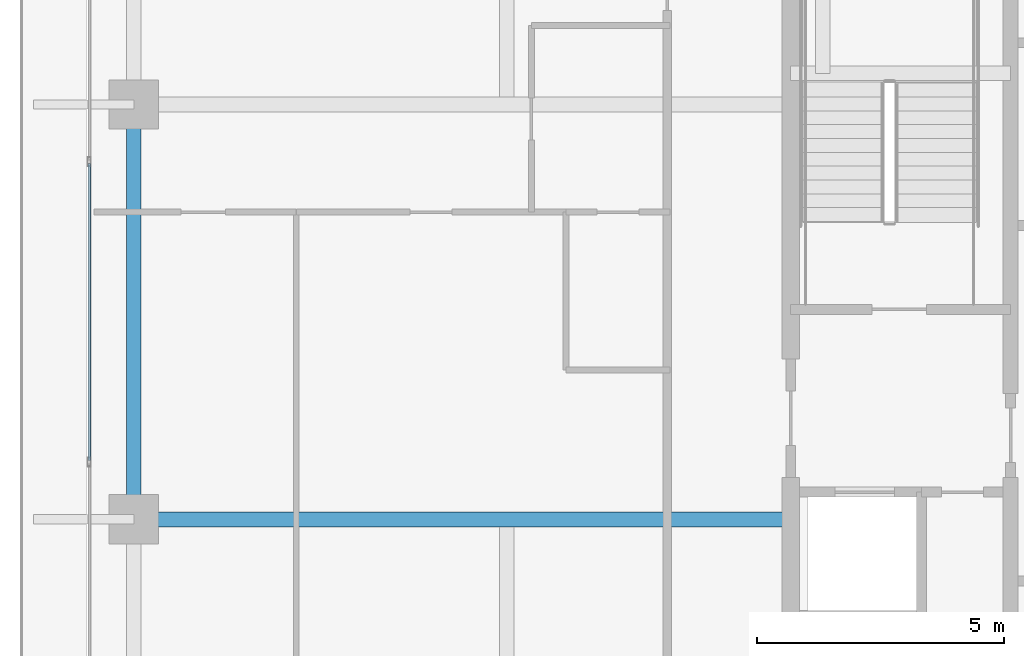
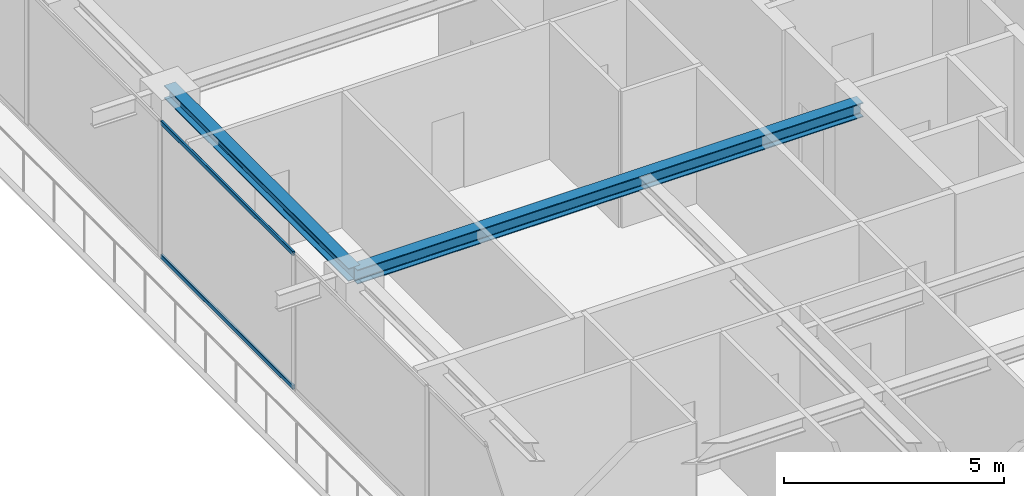
# One storey, part 9 of 42: 2 beams, 2 members, 1 element without a shape of its own.
"""IFC4 building model written with IfcOpenShell, lengths in metres."""

from ifc_helpers import new_model, si_unit, direction, frame, origin, origin_2d, place, context, subcontext, project, spatial, hollow_rectangle, i_section, extrude, source, transform, mapped, material, layer, layer_set, material_profile, profile_set, type_object, element, aggregate, save


model = new_model("IFC4")

# Units and contexts
model_context = context("Model", 3, precision=1e-05, world=origin(), true_north=direction((0.0, 1.0)))
body_context = subcontext(model_context, "Body", "Model", "MODEL_VIEW")
ifc_project = project(units=[si_unit("LENGTHUNIT", "METRE"), si_unit("AREAUNIT", "SQUARE_METRE"), si_unit("VOLUMEUNIT", "CUBIC_METRE"), si_unit("PLANEANGLEUNIT", "RADIAN"), si_unit("MASSUNIT", "GRAM", prefix="KILO")], contexts=[model_context])

# Site, building, storey
site_placement = place(None, origin())
site = spatial("IfcSite", under=ifc_project, at=site_placement, CompositionType="ELEMENT")
building_placement = place(site_placement, origin())
building = spatial("IfcBuilding", under=site, at=building_placement, Name="Serunith Strait Residences", CompositionType="ELEMENT")
storey_placement = place(building_placement, frame((0.0, 0.0, 297.5)))
storey = spatial("IfcBuildingStorey", under=building, at=storey_placement, Name="L74", CompositionType="ELEMENT", Elevation=297.5)

# Beams
ifc_material_1 = material(Name="Steel S355J2", Category="steel")
ifc_material_profile_1 = material_profile(ifc_material_1, i_section(OverallWidth=0.300048828125, OverallDepth=0.39990234375, WebThickness=0.013427734375, FlangeThickness=0.02392578125, FilletRadius=0.027099609375, at=origin_2d()), Name="HEB 400")
ifc_profile_set_1 = profile_set([ifc_material_profile_1], Name="Steel S355J2")
beam_type_1 = type_object("IfcBeamType", Name="BM-HEB400", PredefinedType="BEAM", material=ifc_profile_set_1)
shared_shape_1 = source(origin(), body_context, "Body", "SweptSolid", [
    extrude(i_section(OverallWidth=0.300048828125, OverallDepth=0.39990234375, WebThickness=0.013427734375, FlangeThickness=0.02392578125, FilletRadius=0.027099609375, at=origin_2d()), origin(), (0.0, 0.0, 1.0), 13.2998046875),
])
beam_1_placement = place(storey_placement, frame((23.39990234375, 21.0, 3.5869140625), z_axis=(-1.0, 0.0, 0.0), x_axis=(0.0, -1.0, 0.0)))
element("IfcBeam", 1, at=beam_1_placement, inside=storey, type_object=beam_type_1, Name="L74 Primary Floor Girder TC-W2", PredefinedType="BEAM", context=body_context, shape_type="MappedRepresentation", body=[
    mapped(shared_shape_1, transform((0.0, 0.0, 0.0), scale=1.0)),
])
ifc_material_profile_2 = material_profile(ifc_material_1, i_section(OverallWidth=0.300048828125, OverallDepth=0.360107421875, WebThickness=0.012451171875, FlangeThickness=0.0224609375, FilletRadius=0.027099609375, at=origin_2d()), Name="HEB 360")
ifc_profile_set_2 = profile_set([ifc_material_profile_2], Name="Steel S355J2")
beam_type_2 = type_object("IfcBeamType", Name="BM-HEB360", PredefinedType="BEAM", material=ifc_profile_set_2)
shared_shape_2 = source(origin(), body_context, "Body", "SweptSolid", [
    extrude(i_section(OverallWidth=0.300048828125, OverallDepth=0.360107421875, WebThickness=0.012451171875, FlangeThickness=0.0224609375, FilletRadius=0.027099609375, at=origin_2d()), origin(), (0.0, 0.0, 1.0), 8.39990234375),
])
beam_2_placement = place(storey_placement, frame((10.10009765625, 29.39990234375, 3.60693359375), z_axis=(0.0, -1.0, 0.0), x_axis=(1.0, 0.0, 0.0)))
element("IfcBeam", 2, at=beam_2_placement, inside=storey, type_object=beam_type_2, Name="L74 Perimeter Ring Beam 14", PredefinedType="BEAM", context=body_context, shape_type="MappedRepresentation", body=[
    mapped(shared_shape_2, transform((0.0, 0.0, 0.0), scale=1.0)),
])

# Curtain wall, members
ifc_material_2 = material(Name="Brushed Stainless-Silver Aluminium", Category="aluminium")
ifc_layer = layer(ifc_material_2, 0.199951171875, Name="Brushed Stainless-Silver Aluminium")
ifc_layer_set = layer_set([ifc_layer], Name="Brushed Stainless-Silver Aluminium")
curtain_wall_type = type_object("IfcCurtainWallType", Name="CW-SYS5", PredefinedType="NOTDEFINED", material=ifc_layer_set)
curtain_wall_placement = place(storey_placement, origin())
curtain_wall = element("IfcCurtainWall", 3, at=curtain_wall_placement, inside=storey, type_object=curtain_wall_type, Name="L74 W Unitised Fritted Curtain Wall", PredefinedType="NOTDEFINED")
ifc_material_profile_3 = material_profile(ifc_material_2, hollow_rectangle(XDim=0.06005859375, YDim=0.1201171875, WallThickness=0.00341796875, InnerFilletRadius=0.00537109375, OuterFilletRadius=0.0087890625, at=origin_2d()), Name="ALU 120x60x3.5")
ifc_profile_set_3 = profile_set([ifc_material_profile_3], Name="Brushed Stainless-Silver Aluminium")
member_type = type_object("IfcMemberType", Name="CW-SYS5-TRAN", PredefinedType="USERDEFINED", material=ifc_profile_set_3)
shared_shape_3 = source(origin(), body_context, "Body", "SweptSolid", [
    extrude(hollow_rectangle(XDim=0.06005859375, YDim=0.1201171875, WallThickness=0.00341796875, InnerFilletRadius=0.00537109375, OuterFilletRadius=0.0087890625, at=origin_2d()), origin(), (0.0, 0.0, 1.0), 6.01513671875),
])
member_1_placement = place(storey_placement, frame((9.199951171875, 28.20751953125, 0.030029296875), z_axis=(0.0, -1.0, 0.0), x_axis=(1.0, 0.0, 0.0)))
member_1 = element("IfcMember", 4, at=member_1_placement, type_object=member_type, Name="CW-5 transom 3.1", ObjectType="TRANSOM", PredefinedType="USERDEFINED", context=body_context, shape_type="MappedRepresentation", body=[
    mapped(shared_shape_3, transform((0.0, 0.0, 0.0), scale=1.0)),
])
member_2_placement = place(storey_placement, frame((9.199951171875, 28.20751953125, 3.7451171875), z_axis=(0.0, -1.0, 0.0), x_axis=(1.0, 0.0, 0.0)))
member_2 = element("IfcMember", 5, at=member_2_placement, type_object=member_type, Name="CW-5 transom 3.2", ObjectType="TRANSOM", PredefinedType="USERDEFINED", context=body_context, shape_type="MappedRepresentation", body=[
    mapped(shared_shape_3, transform((0.0, 0.0, 0.0), scale=1.0)),
])
aggregate(curtain_wall, [member_1, member_2])

save(model, "model.ifc")
